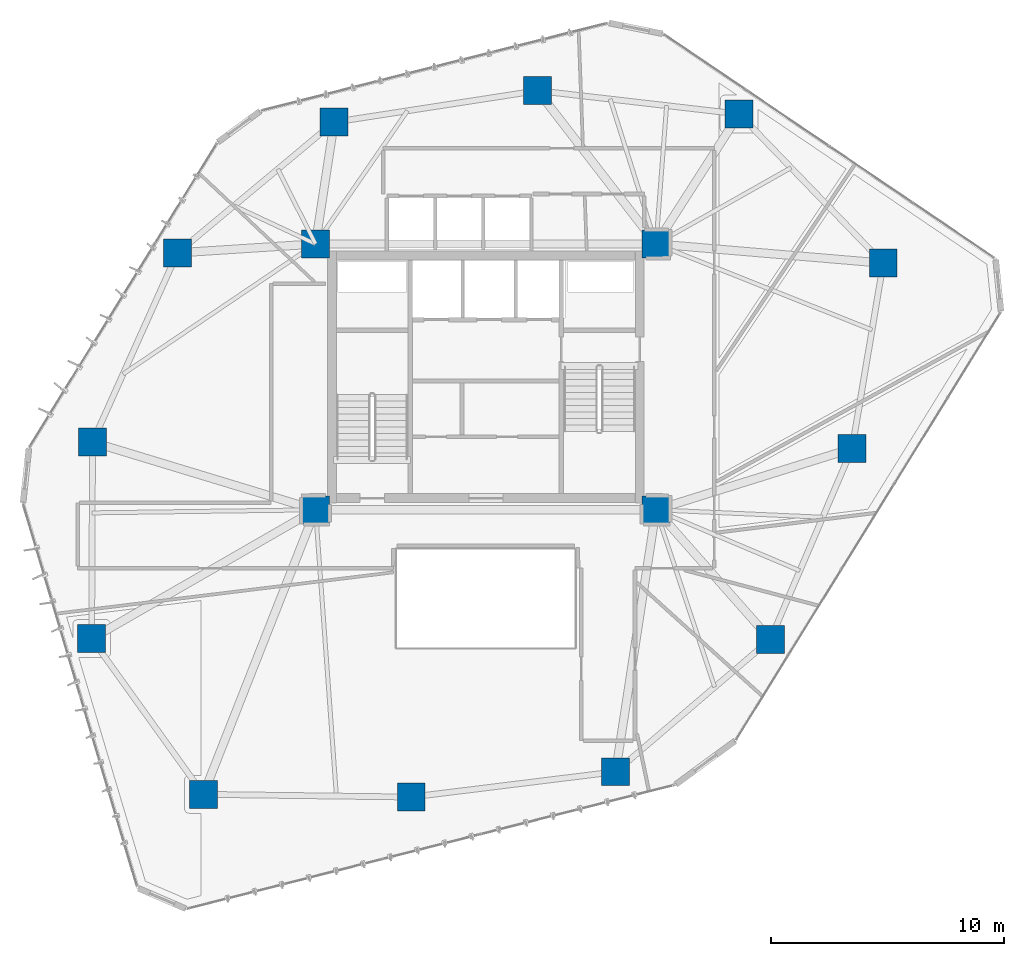
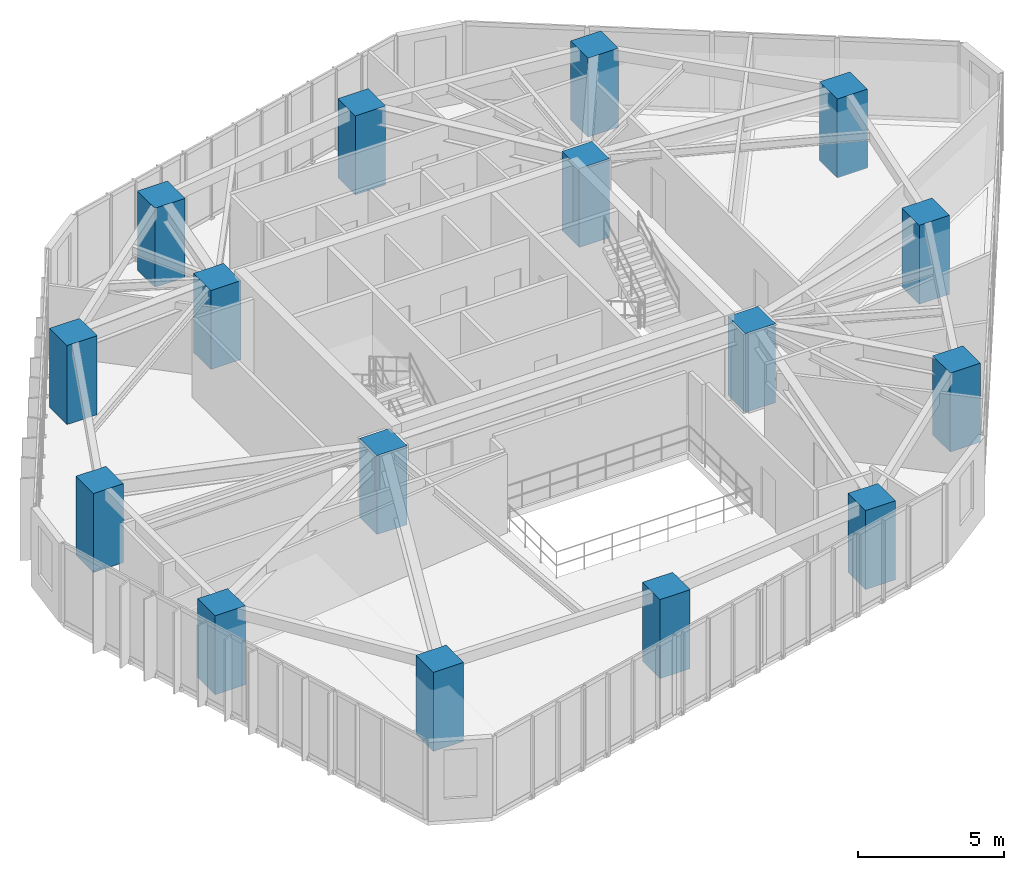
# One storey, part 1 of 20: 16 columns.
"""IFC4 building model written with IfcOpenShell, lengths in metres."""

from ifc_helpers import new_model, si_unit, direction, frame, origin, origin_2d, place, context, subcontext, project, spatial, rectangle, extrude, material, material_profile, profile_set, type_object, element, save


model = new_model("IFC4")

# Units and contexts
model_context = context("Model", 3, precision=1e-05, world=origin(), true_north=direction((0.0, 1.0)))
body_context = subcontext(model_context, "Body", "Model", "MODEL_VIEW")
ifc_project = project(units=[si_unit("LENGTHUNIT", "METRE"), si_unit("AREAUNIT", "SQUARE_METRE"), si_unit("VOLUMEUNIT", "CUBIC_METRE"), si_unit("PLANEANGLEUNIT", "RADIAN"), si_unit("MASSUNIT", "GRAM", prefix="KILO")], contexts=[model_context])

# Site, building, storey
site_placement = place(None, origin())
site = spatial("IfcSite", under=ifc_project, at=site_placement, CompositionType="ELEMENT")
building_placement = place(site_placement, origin())
building = spatial("IfcBuilding", under=site, at=building_placement, Name="Talar Marvaseh", CompositionType="ELEMENT")
storey_placement = place(building_placement, frame((0.0, 0.0, 132.60009765625)))
storey = spatial("IfcBuildingStorey", under=building, at=storey_placement, Name="L34", CompositionType="ELEMENT", Elevation=132.60009765625)

# Columns
ifc_material = material(Name="Concrete C60/75", Category="concrete")
ifc_material_profile = material_profile(ifc_material, rectangle(XDim=1.199951171875, YDim=1.199951171875, at=origin_2d()), Name="RC1200x1200")
ifc_profile_set = profile_set([ifc_material_profile], Name="Concrete C60/75")
column_type = type_object("IfcColumnType", Name="Zone 2 Tube Column RC1200x1200", PredefinedType="COLUMN", material=ifc_profile_set)
for number, where, z_axis, x_axis, name in (
    (1, (36.865966796875, 42.470947265625, 0.0), (0.0, 0.0, 1.0), (1.0, 0.0, 0.0), "L34 Zone 2 Tube Column RC1200x1200"),
    (2, (43.0439453125, 36.075927734375, 0.0), (0.0, 0.0, 1.0), (1.0, 0.0, 0.0), "L34 Zone 2 Tube Column RC1200x1200"),
    (3, (41.708984375, 28.1279296875, 0.0), (0.0, 0.0, 1.0), (1.0, 0.0, 0.0), "L34 Zone 2 Tube Column RC1200x1200"),
    (4, (38.2060546875, 19.94091796875, 0.0), (0.0, 0.0, 1.0), (1.0, 0.0, 0.0), "L34 Zone 2 Tube Column RC1200x1200"),
    (5, (31.570068359375, 14.26806640625, 0.0), (0.0, 0.0, 1.0), (1.0, 0.0, 0.0), "L34 Zone 2 Tube Column RC1200x1200"),
    (6, (22.804931640625, 13.18310546875, 0.0), (0.0, 0.0, 1.0), (1.0, 0.0, 0.0), "L34 Zone 2 Tube Column RC1200x1200"),
    (7, (13.89111328125, 13.299072265625, 0.0), (0.0, 0.0, 1.0), (1.0, 0.0, 0.0), "L34 Zone 2 Tube Column RC1200x1200"),
    (8, (9.10107421875, 19.97705078125, 0.0), (0.0, 0.0, 1.0), (1.0, 0.0, 0.0), "L34 Zone 2 Tube Column RC1200x1200"),
    (9, (9.137939453125, 28.402099609375, 0.0), (0.0, 0.0, 1.0), (1.0, 0.0, 0.0), "L34 Zone 2 Tube Column RC1200x1200"),
    (10, (12.780029296875, 36.51708984375, 0.0), (0.0, 0.0, 1.0), (1.0, 0.0, 0.0), "L34 Zone 2 Tube Column RC1200x1200"),
    (11, (19.5009765625, 42.123046875, 0.0), (0.0, 0.0, 1.0), (1.0, 0.0, 0.0), "L34 Zone 2 Tube Column RC1200x1200"),
    (12, (28.221923828125, 43.471923828125, 0.0), (0.0, 0.0, 1.0), (1.0, 0.0, 0.0), "L34 Zone 2 Tube Column RC1200x1200"),
    (13, (18.699951171875, 25.5, 0.0), (0.0, 0.0, 1.0), (1.0, 0.0, 0.0), "L34 Zone 2 Tube Column RC1200x1200"),
    (14, (33.300048828125, 25.5, 0.0), (0.0, 0.0, 1.0), (1.0, 0.0, 0.0), "L34 Zone 2 Tube Column RC1200x1200"),
    (15, (33.300048828125, 36.89990234375, 0.0), (0.0, 0.0, 1.0), (1.0, 0.0, 0.0), "L34 Zone 2 Tube Column RC1200x1200"),
    (16, (18.699951171875, 36.89990234375, 0.0), (0.0, 0.0, 1.0), (1.0, 0.0, 0.0), "L34 Zone 2 Tube Column RC1200x1200"),
):
    element("IfcColumn", number, at=place(storey_placement, frame(where, z_axis=z_axis, x_axis=x_axis)), inside=storey, type_object=column_type, Name=name, PredefinedType="COLUMN", context=body_context, shape_type="SweptSolid", body=[
        extrude(rectangle(XDim=1.199951171875, YDim=1.199951171875, at=origin_2d()), origin(), (0.0, 0.0, 1.0), 3.309814453125),
    ])

save(model, "model.ifc")
